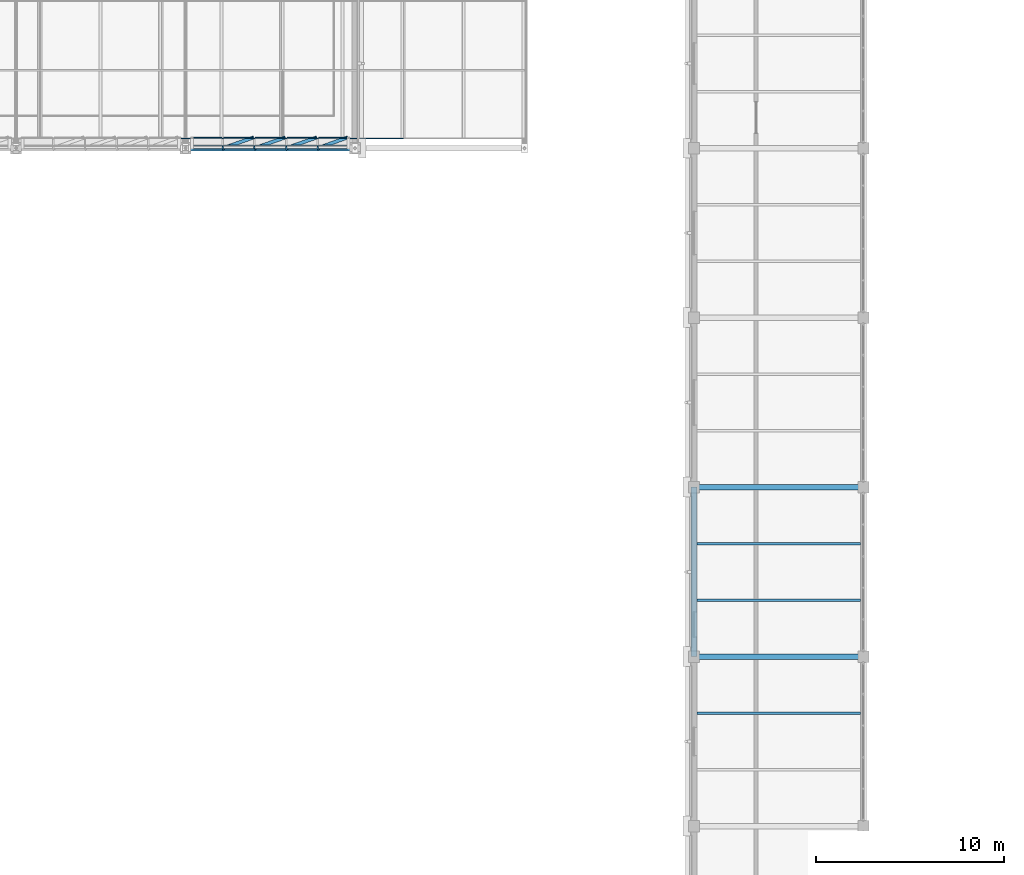
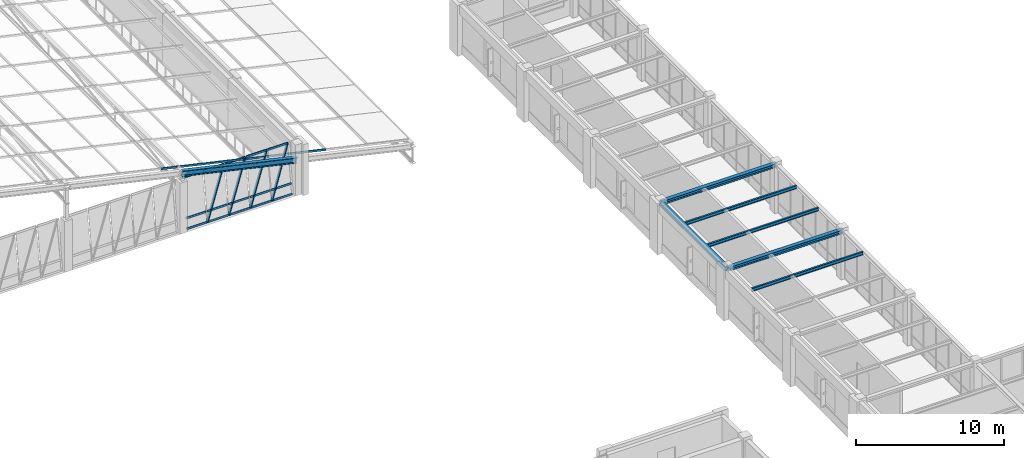
# One storey, part 52 of 130: 22 members, 6 beams, 3 elements without a shape of their own.
"""IFC4 building model written with IfcOpenShell, lengths in metres."""

from ifc_helpers import new_model, si_unit, direction, frame, origin, origin_2d, place, context, subcontext, project, spatial, hollow_rectangle, i_section, extrude, material, material_profile, profile_set, type_object, element, aggregate, save


model = new_model("IFC4")

# Units and contexts
model_context = context("Model", 3, precision=1e-05, world=origin(), true_north=direction((0.0, 1.0)))
body_context = subcontext(model_context, "Body", "Model", "MODEL_VIEW")
ifc_project = project(units=[si_unit("LENGTHUNIT", "METRE"), si_unit("AREAUNIT", "SQUARE_METRE"), si_unit("VOLUMEUNIT", "CUBIC_METRE"), si_unit("PLANEANGLEUNIT", "RADIAN"), si_unit("MASSUNIT", "GRAM", prefix="KILO")], contexts=[model_context])

# Site, building, storey
site_placement = place(None, origin())
site = spatial("IfcSite", under=ifc_project, at=site_placement, CompositionType="ELEMENT")
building_placement = place(site_placement, origin())
building = spatial("IfcBuilding", under=site, at=building_placement, Name="Lykobir Media Centre", CompositionType="ELEMENT")
storey_placement = place(building_placement, frame((0.0, 0.0, 19.199951171875)))
storey = spatial("IfcBuildingStorey", under=building, at=storey_placement, Name="L04", CompositionType="ELEMENT", Elevation=19.199951171875)

# Beam
ifc_material_1 = material(Name="Steel S355", Category="steel")
ifc_material_profile_1 = material_profile(ifc_material_1, i_section(OverallWidth=0.300048828125, OverallDepth=0.31005859375, WebThickness=0.009033203125, FlangeThickness=0.015380859375, at=origin_2d()), Name="HEA 320")
ifc_profile_set_1 = profile_set([ifc_material_profile_1], Name="Steel S355")
beam_type_1 = type_object("IfcBeamType", Name="BM-HEA320", PredefinedType="BEAM", material=ifc_profile_set_1)
beam_1_placement = place(storey_placement, frame((90.0, 36.0, 3.804931640625), z_axis=(1.0, 0.0, 0.0), x_axis=(0.0, 1.0, 0.0)))
element("IfcBeam", 1, at=beam_1_placement, inside=storey, type_object=beam_type_1, Name="Beam BM-L04-0900-0360-0990-0360-2300", PredefinedType="BEAM", context=body_context, shape_type="SweptSolid", body=[
    extrude(i_section(OverallWidth=0.300048828125, OverallDepth=0.31005859375, WebThickness=0.009033203125, FlangeThickness=0.015380859375, at=origin_2d()), origin(), (0.0, 0.0, 1.0), 9.0),
])

# Curtain wall, members
ifc_material_2 = material(Name="Anodized Aluminium AW-6060", Category="aluminium")
curtain_wall_type_1 = type_object("IfcCurtainWallType", Name="CW-V6-CR4", PredefinedType="NOTDEFINED", material=ifc_material_2)
curtain_wall_1_placement = place(storey_placement, origin())
curtain_wall_1 = element("IfcCurtainWall", 2, at=curtain_wall_1_placement, inside=storey, type_object=curtain_wall_type_1, Name="Curtain wall CW2-L04-0162", PredefinedType="NOTDEFINED")
ifc_material_profile_2 = material_profile(ifc_material_2, hollow_rectangle(XDim=0.074951171875, YDim=0.179931640625, WallThickness=0.00390625, at=origin_2d()), Name="ALU MULLION 75x180")
ifc_profile_set_2 = profile_set([ifc_material_profile_2], Name="Anodized Aluminium AW-6060")
member_type_1 = type_object("IfcMemberType", Name="CWM-180", PredefinedType="MULLION", material=ifc_profile_set_2)
member_1_placement = place(storey_placement, frame((70.01708984375, 63.0, 0.0), z_axis=(0.365976570158, 0.132760683435, 0.921105721961), x_axis=(0.86589329552, 0.314109139953, -0.389312533796)))
member_1 = element("IfcMember", 3, at=member_1_placement, type_object=member_type_1, Name="CW2-L04-0162 mullion 2", PredefinedType="MULLION", context=body_context, shape_type="SweptSolid", body=[
    extrude(hollow_rectangle(XDim=0.074951171875, YDim=0.179931640625, WallThickness=0.00390625, at=origin_2d()), origin(), (0.0, 0.0, 1.0), 4.27734375),
])
member_2_placement = place(storey_placement, frame((68.339111328125, 63.0, 0.0), z_axis=(0.374579600655, 0.132271466696, 0.917711491631), x_axis=(0.865344548286, 0.305570277716, -0.397247552703)))
member_2 = element("IfcMember", 4, at=member_2_placement, type_object=member_type_1, Name="CW2-L04-0162 mullion 3", PredefinedType="MULLION", context=body_context, shape_type="SweptSolid", body=[
    extrude(hollow_rectangle(XDim=0.074951171875, YDim=0.179931640625, WallThickness=0.00390625, at=origin_2d()), origin(), (0.0, 0.0, 1.0), 4.293212890625),
])
member_3_placement = place(storey_placement, frame((66.660888671875, 63.0, 0.0), z_axis=(0.374628486657, 0.132268649053, 0.917691942573), x_axis=(0.865340676514, 0.305522527865, -0.397292711407)))
member_3 = element("IfcMember", 5, at=member_3_placement, type_object=member_type_1, Name="CW2-L04-0162 mullion 4", PredefinedType="MULLION", context=body_context, shape_type="SweptSolid", body=[
    extrude(hollow_rectangle(XDim=0.074951171875, YDim=0.179931640625, WallThickness=0.00390625, at=origin_2d()), origin(), (0.0, 0.0, 1.0), 4.293212890625),
])
member_4_placement = place(storey_placement, frame((64.98291015625, 63.0, 0.0), z_axis=(0.374628486657, 0.132268649053, 0.917691942573), x_axis=(0.865340676514, 0.305522527865, -0.397292711407)))
member_4 = element("IfcMember", 6, at=member_4_placement, type_object=member_type_1, Name="CW2-L04-0162 mullion 5", PredefinedType="MULLION", context=body_context, shape_type="SweptSolid", body=[
    extrude(hollow_rectangle(XDim=0.074951171875, YDim=0.179931640625, WallThickness=0.00390625, at=origin_2d()), origin(), (0.0, 0.0, 1.0), 4.293212890625),
])
ifc_material_profile_3 = material_profile(ifc_material_2, hollow_rectangle(XDim=0.074951171875, YDim=0.14990234375, WallThickness=0.00341796875, at=origin_2d()), Name="ALU TRANSOM 75x150")
ifc_profile_set_3 = profile_set([ifc_material_profile_3], Name="Anodized Aluminium AW-6060")
member_type_2 = type_object("IfcMemberType", Name="CWT-150", PredefinedType="USERDEFINED", material=ifc_profile_set_3)
member_5_placement = place(storey_placement, frame((71.6201171875, 63.00537109375, 0.037109375), z_axis=(-1.0, 0.0, 0.0), x_axis=(0.0, -0.989776230908, 0.142628933706)))
member_5 = element("IfcMember", 7, at=member_5_placement, type_object=member_type_2, Name="CW2-L04-0162 transom 1.1", ObjectType="TRANSOM", PredefinedType="USERDEFINED", context=body_context, shape_type="SweptSolid", body=[
    extrude(hollow_rectangle(XDim=0.074951171875, YDim=0.14990234375, WallThickness=0.00341796875, at=origin_2d()), origin(), (0.0, 0.0, 1.0), 1.565673828125),
])
member_6_placement = place(storey_placement, frame((71.6201171875, 63.12109375, 0.84130859375), z_axis=(-1.0, 0.0, 0.0), x_axis=(0.0, -0.989776230908, 0.142628933706)))
member_6 = element("IfcMember", 8, at=member_6_placement, type_object=member_type_2, Name="CW2-L04-0162 transom 1.2", ObjectType="TRANSOM", PredefinedType="USERDEFINED", context=body_context, shape_type="SweptSolid", body=[
    extrude(hollow_rectangle(XDim=0.074951171875, YDim=0.14990234375, WallThickness=0.00341796875, at=origin_2d()), origin(), (0.0, 0.0, 1.0), 1.565673828125),
])
member_7_placement = place(storey_placement, frame((71.6201171875, 63.5625, 3.90283203125), z_axis=(-1.0, 0.0, 0.0), x_axis=(0.0, -0.989776230908, 0.142628933706)))
member_7 = element("IfcMember", 9, at=member_7_placement, type_object=member_type_2, Name="CW2-L04-0162 transom 1.3", ObjectType="TRANSOM", PredefinedType="USERDEFINED", context=body_context, shape_type="SweptSolid", body=[
    extrude(hollow_rectangle(XDim=0.074951171875, YDim=0.14990234375, WallThickness=0.00341796875, at=origin_2d()), origin(), (0.0, 0.0, 1.0), 1.565673828125),
])
member_8_placement = place(storey_placement, frame((69.9794921875, 63.00537109375, 0.037109375), z_axis=(-1.0, 0.0, 0.0), x_axis=(0.0, -0.989776230908, 0.142628933706)))
member_8 = element("IfcMember", 10, at=member_8_placement, type_object=member_type_2, Name="CW2-L04-0162 transom 2.1", ObjectType="TRANSOM", PredefinedType="USERDEFINED", context=body_context, shape_type="SweptSolid", body=[
    extrude(hollow_rectangle(XDim=0.074951171875, YDim=0.14990234375, WallThickness=0.00341796875, at=origin_2d()), origin(), (0.0, 0.0, 1.0), 1.60302734375),
])
member_9_placement = place(storey_placement, frame((69.9794921875, 63.12109375, 0.84130859375), z_axis=(-1.0, 0.0, 0.0), x_axis=(0.0, -0.989776230908, 0.142628933706)))
member_9 = element("IfcMember", 11, at=member_9_placement, type_object=member_type_2, Name="CW2-L04-0162 transom 2.2", ObjectType="TRANSOM", PredefinedType="USERDEFINED", context=body_context, shape_type="SweptSolid", body=[
    extrude(hollow_rectangle(XDim=0.074951171875, YDim=0.14990234375, WallThickness=0.00341796875, at=origin_2d()), origin(), (0.0, 0.0, 1.0), 1.60302734375),
])
member_10_placement = place(storey_placement, frame((69.9794921875, 63.5625, 3.90283203125), z_axis=(-1.0, 0.0, 0.0), x_axis=(0.0, -0.989776230908, 0.142628933706)))
member_10 = element("IfcMember", 12, at=member_10_placement, type_object=member_type_2, Name="CW2-L04-0162 transom 2.3", ObjectType="TRANSOM", PredefinedType="USERDEFINED", context=body_context, shape_type="SweptSolid", body=[
    extrude(hollow_rectangle(XDim=0.074951171875, YDim=0.14990234375, WallThickness=0.00341796875, at=origin_2d()), origin(), (0.0, 0.0, 1.0), 1.60302734375),
])
member_11_placement = place(storey_placement, frame((68.301513671875, 63.00537109375, 0.037109375), z_axis=(-1.0, 0.0, 0.0), x_axis=(0.0, -0.989776230908, 0.142628933706)))
member_11 = element("IfcMember", 13, at=member_11_placement, type_object=member_type_2, Name="CW2-L04-0162 transom 3.1", ObjectType="TRANSOM", PredefinedType="USERDEFINED", context=body_context, shape_type="SweptSolid", body=[
    extrude(hollow_rectangle(XDim=0.074951171875, YDim=0.14990234375, WallThickness=0.00341796875, at=origin_2d()), origin(), (0.0, 0.0, 1.0), 1.60302734375),
])
member_12_placement = place(storey_placement, frame((68.301513671875, 63.12109375, 0.84130859375), z_axis=(-1.0, 0.0, 0.0), x_axis=(0.0, -0.989776230908, 0.142628933706)))
member_12 = element("IfcMember", 14, at=member_12_placement, type_object=member_type_2, Name="CW2-L04-0162 transom 3.2", ObjectType="TRANSOM", PredefinedType="USERDEFINED", context=body_context, shape_type="SweptSolid", body=[
    extrude(hollow_rectangle(XDim=0.074951171875, YDim=0.14990234375, WallThickness=0.00341796875, at=origin_2d()), origin(), (0.0, 0.0, 1.0), 1.60302734375),
])
member_13_placement = place(storey_placement, frame((68.301513671875, 63.5625, 3.90283203125), z_axis=(-1.0, 0.0, 0.0), x_axis=(0.0, -0.989776230908, 0.142628933706)))
member_13 = element("IfcMember", 15, at=member_13_placement, type_object=member_type_2, Name="CW2-L04-0162 transom 3.3", ObjectType="TRANSOM", PredefinedType="USERDEFINED", context=body_context, shape_type="SweptSolid", body=[
    extrude(hollow_rectangle(XDim=0.074951171875, YDim=0.14990234375, WallThickness=0.00341796875, at=origin_2d()), origin(), (0.0, 0.0, 1.0), 1.60302734375),
])
member_14_placement = place(storey_placement, frame((66.62353515625, 63.00537109375, 0.037109375), z_axis=(-1.0, 0.0, 0.0), x_axis=(0.0, -0.989776230908, 0.142628933706)))
member_14 = element("IfcMember", 16, at=member_14_placement, type_object=member_type_2, Name="CW2-L04-0162 transom 4.1", ObjectType="TRANSOM", PredefinedType="USERDEFINED", context=body_context, shape_type="SweptSolid", body=[
    extrude(hollow_rectangle(XDim=0.074951171875, YDim=0.14990234375, WallThickness=0.00341796875, at=origin_2d()), origin(), (0.0, 0.0, 1.0), 1.60302734375),
])
member_15_placement = place(storey_placement, frame((66.62353515625, 63.12109375, 0.84130859375), z_axis=(-1.0, 0.0, 0.0), x_axis=(0.0, -0.989776230908, 0.142628933706)))
member_15 = element("IfcMember", 17, at=member_15_placement, type_object=member_type_2, Name="CW2-L04-0162 transom 4.2", ObjectType="TRANSOM", PredefinedType="USERDEFINED", context=body_context, shape_type="SweptSolid", body=[
    extrude(hollow_rectangle(XDim=0.074951171875, YDim=0.14990234375, WallThickness=0.00341796875, at=origin_2d()), origin(), (0.0, 0.0, 1.0), 1.60302734375),
])
member_16_placement = place(storey_placement, frame((66.62353515625, 63.5625, 3.90283203125), z_axis=(-1.0, 0.0, 0.0), x_axis=(0.0, -0.989776230908, 0.142628933706)))
member_16 = element("IfcMember", 18, at=member_16_placement, type_object=member_type_2, Name="CW2-L04-0162 transom 4.3", ObjectType="TRANSOM", PredefinedType="USERDEFINED", context=body_context, shape_type="SweptSolid", body=[
    extrude(hollow_rectangle(XDim=0.074951171875, YDim=0.14990234375, WallThickness=0.00341796875, at=origin_2d()), origin(), (0.0, 0.0, 1.0), 1.60302734375),
])
member_17_placement = place(storey_placement, frame((64.945556640625, 63.00537109375, 0.037109375), z_axis=(-1.0, 0.0, 0.0), x_axis=(0.0, -0.989776230908, 0.142628933706)))
member_17 = element("IfcMember", 19, at=member_17_placement, type_object=member_type_2, Name="CW2-L04-0162 transom 5.1", ObjectType="TRANSOM", PredefinedType="USERDEFINED", context=body_context, shape_type="SweptSolid", body=[
    extrude(hollow_rectangle(XDim=0.074951171875, YDim=0.14990234375, WallThickness=0.00341796875, at=origin_2d()), origin(), (0.0, 0.0, 1.0), 1.565673828125),
])
member_18_placement = place(storey_placement, frame((64.945556640625, 63.12109375, 0.84130859375), z_axis=(-1.0, 0.0, 0.0), x_axis=(0.0, -0.989776230908, 0.142628933706)))
member_18 = element("IfcMember", 20, at=member_18_placement, type_object=member_type_2, Name="CW2-L04-0162 transom 5.2", ObjectType="TRANSOM", PredefinedType="USERDEFINED", context=body_context, shape_type="SweptSolid", body=[
    extrude(hollow_rectangle(XDim=0.074951171875, YDim=0.14990234375, WallThickness=0.00341796875, at=origin_2d()), origin(), (0.0, 0.0, 1.0), 1.565673828125),
])
member_19_placement = place(storey_placement, frame((64.945556640625, 63.5625, 3.90283203125), z_axis=(-1.0, 0.0, 0.0), x_axis=(0.0, -0.989776230908, 0.142628933706)))
member_19 = element("IfcMember", 21, at=member_19_placement, type_object=member_type_2, Name="CW2-L04-0162 transom 5.3", ObjectType="TRANSOM", PredefinedType="USERDEFINED", context=body_context, shape_type="SweptSolid", body=[
    extrude(hollow_rectangle(XDim=0.074951171875, YDim=0.14990234375, WallThickness=0.00341796875, at=origin_2d()), origin(), (0.0, 0.0, 1.0), 1.565673828125),
])
aggregate(curtain_wall_1, [member_1, member_2, member_3, member_4, member_5, member_6, member_7, member_8, member_9, member_10, member_11, member_12, member_13, member_14, member_15, member_16, member_17, member_18, member_19])

# Curtain wall, member
curtain_wall_type_2 = type_object("IfcCurtainWallType", Name="CW-V6-SKY", PredefinedType="NOTDEFINED", material=ifc_material_2)
curtain_wall_2_placement = place(storey_placement, origin())
curtain_wall_2 = element("IfcCurtainWall", 22, at=curtain_wall_2_placement, inside=storey, type_object=curtain_wall_type_2, Name="Curtain wall CW-V6-SKY02", PredefinedType="NOTDEFINED")
member_20_placement = place(storey_placement, frame((74.549072265625, 63.517578125, 2.358642578125), z_axis=(-0.975255318588, 0.0, 0.221081576721), x_axis=(0.0, -1.0, 0.0)))
member_20 = element("IfcMember", 23, at=member_20_placement, type_object=member_type_2, Name="CW-V6-SKY02 rafter transom 13", ObjectType="TRANSOM", PredefinedType="USERDEFINED", context=body_context, shape_type="SweptSolid", body=[
    extrude(hollow_rectangle(XDim=0.074951171875, YDim=0.14990234375, WallThickness=0.00341796875, at=origin_2d()), origin(), (0.0, 0.0, 1.0), 6.591552734375),
])
aggregate(curtain_wall_2, [member_20])

curtain_wall_3_placement = place(storey_placement, origin())
curtain_wall_3 = element("IfcCurtainWall", 24, at=curtain_wall_3_placement, inside=storey, type_object=curtain_wall_type_2, Name="Curtain wall CW-V6-SKY03", PredefinedType="NOTDEFINED")
member_21_placement = place(storey_placement, frame((68.12060546875, 63.517578125, 3.81591796875), z_axis=(-0.97526330388, 0.0, 0.221046348318), x_axis=(0.0, -1.0, 0.0)))
member_21 = element("IfcMember", 25, at=member_21_placement, type_object=member_type_2, Name="CW-V6-SKY03 rafter transom 13", ObjectType="TRANSOM", PredefinedType="USERDEFINED", context=body_context, shape_type="SweptSolid", body=[
    extrude(hollow_rectangle(XDim=0.074951171875, YDim=0.14990234375, WallThickness=0.00341796875, at=origin_2d()), origin(), (0.0, 0.0, 1.0), 6.591552734375),
])
aggregate(curtain_wall_3, [member_21])

# Beams
ifc_material_profile_4 = material_profile(ifc_material_1, i_section(OverallWidth=0.135009765625, OverallDepth=0.27001953125, WebThickness=0.006591796875, FlangeThickness=0.01025390625, at=origin_2d()), Name="IPE 270")
ifc_profile_set_4 = profile_set([ifc_material_profile_4], Name="Steel S355")
beam_type_2 = type_object("IfcBeamType", Name="JS-IPE270", PredefinedType="JOIST", material=ifc_profile_set_4)
for number, where, z_axis, x_axis, name in (
    (26, (90.14990234375, 33.0, 3.824951171875), (1.0, 0.0, 0.0), (0.0, 1.0, 0.0), "Beam BM-L04-0902-0330-0988-0330-2302"),
    (27, (90.14990234375, 39.0, 3.824951171875), (1.0, 0.0, 0.0), (0.0, 1.0, 0.0), "Beam BM-L04-0902-0390-0988-0390-2302"),
    (28, (90.14990234375, 42.0, 3.824951171875), (1.0, 0.0, 0.0), (0.0, 1.0, 0.0), "Beam BM-L04-0902-0420-0988-0420-2302"),
):
    element("IfcBeam", number, at=place(storey_placement, frame(where, z_axis=z_axis, x_axis=x_axis)), inside=storey, type_object=beam_type_2, Name=name, PredefinedType="JOIST", context=body_context, shape_type="SweptSolid", body=[
        extrude(i_section(OverallWidth=0.135009765625, OverallDepth=0.27001953125, WebThickness=0.006591796875, FlangeThickness=0.01025390625, at=origin_2d()), origin(), (0.0, 0.0, 1.0), 8.7001953125),
    ])
ifc_material_profile_5 = material_profile(ifc_material_1, i_section(OverallWidth=0.300048828125, OverallDepth=0.31005859375, WebThickness=0.009033203125, FlangeThickness=0.015380859375, at=origin_2d()), Name="HEA 320")
ifc_profile_set_5 = profile_set([ifc_material_profile_5], Name="Steel S355")
beam_type_3 = type_object("IfcBeamType", Name="SP-HEA320", PredefinedType="SPANDREL", material=ifc_profile_set_5)
beam_2_placement = place(storey_placement, frame((90.0, 45.0, 3.804931640625), z_axis=(1.0, 0.0, 0.0), x_axis=(0.0, 1.0, 0.0)))
element("IfcBeam", 29, at=beam_2_placement, inside=storey, type_object=beam_type_3, Name="Beam BM-L04-0900-0450-0990-0450-2300", PredefinedType="SPANDREL", context=body_context, shape_type="SweptSolid", body=[
    extrude(i_section(OverallWidth=0.300048828125, OverallDepth=0.31005859375, WebThickness=0.009033203125, FlangeThickness=0.015380859375, at=origin_2d()), origin(), (0.0, 0.0, 1.0), 9.0),
])
ifc_material_profile_6 = material_profile(ifc_material_1, i_section(OverallWidth=0.300048828125, OverallDepth=0.31005859375, WebThickness=0.009033203125, FlangeThickness=0.015380859375, at=origin_2d()), Name="HEA 320")
ifc_profile_set_6 = profile_set([ifc_material_profile_6], Name="Steel S355")
beam_type_4 = type_object("IfcBeamType", Name="SP-HEA320-E", PredefinedType="SPANDREL", material=ifc_profile_set_6)
beam_3_placement = place(storey_placement, frame((90.0, 36.0, 3.804931640625), z_axis=(0.0, 1.0, 0.0), x_axis=(-1.0, 0.0, 0.0)))
element("IfcBeam", 30, at=beam_3_placement, inside=storey, type_object=beam_type_4, Name="Beam BM-L04-0900-0360-0900-0450-2300", PredefinedType="SPANDREL", context=body_context, shape_type="SweptSolid", body=[
    extrude(i_section(OverallWidth=0.300048828125, OverallDepth=0.31005859375, WebThickness=0.009033203125, FlangeThickness=0.015380859375, at=origin_2d()), origin(), (0.0, 0.0, 1.0), 9.0),
])

# Member
ifc_material_profile_7 = material_profile(ifc_material_1, i_section(OverallWidth=0.300048828125, OverallDepth=0.43994140625, WebThickness=0.011474609375, FlangeThickness=0.02099609375, at=origin_2d()), Name="HEA 450")
ifc_profile_set_7 = profile_set([ifc_material_profile_7], Name="Steel S355")
member_type_3 = type_object("IfcMemberType", Name="TC-HEA450", PredefinedType="CHORD", material=ifc_profile_set_7)
member_22_placement = place(storey_placement, frame((63.0, 63.0, 4.780029296875), z_axis=(0.975259516727, 0.0, -0.221063056689), x_axis=(0.0, 1.0, 0.0)))
element("IfcMember", 31, at=member_22_placement, inside=storey, type_object=member_type_3, Name="Truss chord MEM2-L04-0630-0630-0240-0720-0630-0424", PredefinedType="CHORD", context=body_context, shape_type="SweptSolid", body=[
    extrude(i_section(OverallWidth=0.300048828125, OverallDepth=0.43994140625, WebThickness=0.011474609375, FlangeThickness=0.02099609375, at=origin_2d()), origin(), (0.0, 0.0, 1.0), 9.228271484375),
])

save(model, "model.ifc")
